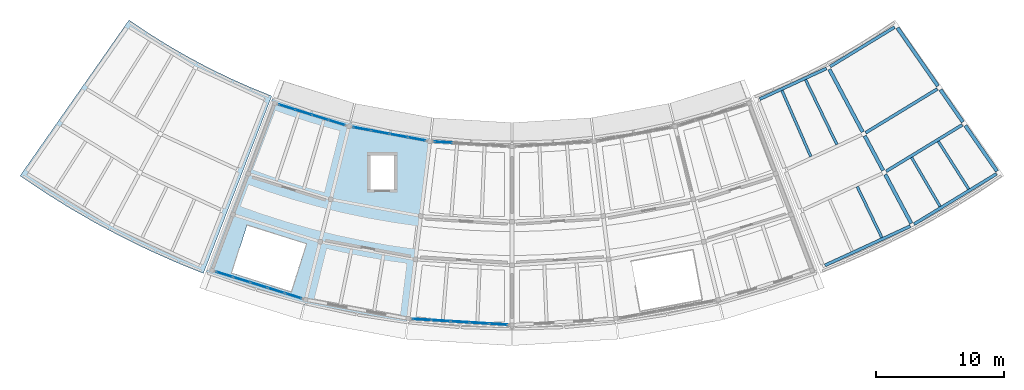
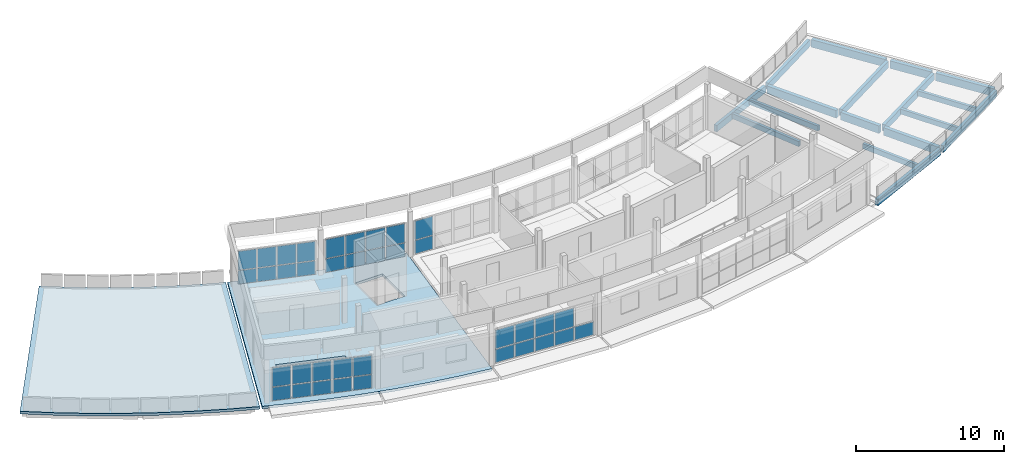
# One storey, part 7 of 12: 37 plates, 17 beams, 2 slabs, 5 elements without a shape of their own.
"""IFC4 building model written with IfcOpenShell, lengths in metres."""

from ifc_helpers import new_model, si_unit, direction, frame, origin, origin_2d, place, context, subcontext, project, spatial, polyline, rectangle, outline, extrude, material, layer, layer_set, material_profile, profile_set, type_object, element, aggregate, save


model = new_model("IFC4")

# Units and contexts
model_context = context("Model", 3, precision=1e-05, world=origin(), true_north=direction((0.0, 1.0)))
body_context = subcontext(model_context, "Body", "Model", "MODEL_VIEW")
ifc_project = project(units=[si_unit("LENGTHUNIT", "METRE"), si_unit("AREAUNIT", "SQUARE_METRE"), si_unit("VOLUMEUNIT", "CUBIC_METRE"), si_unit("PLANEANGLEUNIT", "RADIAN"), si_unit("MASSUNIT", "GRAM", prefix="KILO")], contexts=[model_context])

# Site, building, storey
site_placement = place(None, origin())
site = spatial("IfcSite", under=ifc_project, at=site_placement, CompositionType="ELEMENT")
building_placement = place(site_placement, origin())
building = spatial("IfcBuilding", under=site, at=building_placement, Name="Caldaven Crescent School", CompositionType="ELEMENT")
storey_placement = place(building_placement, frame((0.0, 0.0, 19.3798828125)))
storey = spatial("IfcBuildingStorey", under=building, at=storey_placement, Name="L05", CompositionType="ELEMENT", Elevation=19.3798828125)

# Beams
ifc_material_1 = material(Name="Glulam MLE24h (GL28h)", Category="wood")
ifc_material_profile_1 = material_profile(ifc_material_1, rectangle(XDim=0.239990234375, YDim=0.5400390625, at=origin_2d()), Name="MLE 240x540")
ifc_profile_set_1 = profile_set([ifc_material_profile_1], Name="Glulam MLE24h (GL28h)")
beam_type_1 = type_object("IfcBeamType", Name="BM-GL54", PredefinedType="BEAM", material=ifc_profile_set_1)
beam_1_placement = place(storey_placement, frame((115.51953125, 44.615234375, -0.47998046875), z_axis=(0.853705770755, 0.520755659575, 0.0), x_axis=(-0.520755659575, 0.853705770755, 0.0)))
element("IfcBeam", 1, at=beam_1_placement, inside=storey, type_object=beam_type_1, Name="BMT-V4E-L05-1762", PredefinedType="BEAM", context=body_context, shape_type="SweptSolid", body=[
    extrude(rectangle(XDim=0.239990234375, YDim=0.5400390625, at=origin_2d()), origin(), (0.0, 0.0, 1.0), 6.52978515625),
])
beam_2_placement = place(storey_placement, frame((117.11572265625, 41.61328125, -0.47998046875), z_axis=(0.853702983474, 0.520760228903, 0.0), x_axis=(-0.520760228903, 0.853702983474, 0.0)))
element("IfcBeam", 2, at=beam_2_placement, inside=storey, type_object=beam_type_1, Name="BMT-V4E-L05-1763", PredefinedType="BEAM", context=body_context, shape_type="SweptSolid", body=[
    extrude(rectangle(XDim=0.239990234375, YDim=0.5400390625, at=origin_2d()), origin(), (0.0, 0.0, 1.0), 6.930908203125),
])
ifc_material_profile_2 = material_profile(ifc_material_1, rectangle(XDim=0.280029296875, YDim=0.6298828125, at=origin_2d()), Name="MLE 280x630")
ifc_profile_set_2 = profile_set([ifc_material_profile_2], Name="Glulam MLE24h (GL28h)")
beam_type_2 = type_object("IfcBeamType", Name="BM-GL63", PredefinedType="BEAM", material=ifc_profile_set_2)
beam_3_placement = place(storey_placement, frame((112.698974609375, 49.548095703125, -0.52490234375), z_axis=(0.46947347425, -0.882946576513, 0.0), x_axis=(0.882946576513, 0.46947347425, 0.0)))
element("IfcBeam", 3, at=beam_3_placement, inside=storey, type_object=beam_type_2, Name="BMR-V4E-L05-1747", PredefinedType="BEAM", context=body_context, shape_type="SweptSolid", body=[
    extrude(rectangle(XDim=0.280029296875, YDim=0.6298828125, at=origin_2d()), origin(), (0.0, 0.0, 1.0), 5.514892578125),
])
beam_4_placement = place(storey_placement, frame((115.452392578125, 44.36962890625, -0.52490234375), z_axis=(0.469486850199, -0.882939464227, 0.0), x_axis=(0.882939464227, 0.469486850199, 0.0)))
element("IfcBeam", 4, at=beam_4_placement, inside=storey, type_object=beam_type_2, Name="BMR-V4E-L05-1748", PredefinedType="BEAM", context=body_context, shape_type="SweptSolid", body=[
    extrude(rectangle(XDim=0.280029296875, YDim=0.6298828125, at=origin_2d()), origin(), (0.0, 0.0, 1.0), 3.0498046875),
])
beam_5_placement = place(storey_placement, frame((117.048583984375, 41.36767578125, -0.52490234375), z_axis=(0.469433744078, -0.882967700384, 0.0), x_axis=(0.882967700384, 0.469433744078, 0.0)))
element("IfcBeam", 5, at=beam_5_placement, inside=storey, type_object=beam_type_2, Name="BMR-V4E-L05-1749", PredefinedType="BEAM", context=body_context, shape_type="SweptSolid", body=[
    extrude(rectangle(XDim=0.280029296875, YDim=0.6298828125, at=origin_2d()), origin(), (0.0, 0.0, 1.0), 4.31494140625),
])
beam_6_placement = place(storey_placement, frame((117.9990234375, 52.781005859375, -0.52490234375), z_axis=(0.57022240995, -0.821490354898, 0.0), x_axis=(0.821490354898, 0.57022240995, 0.0)))
element("IfcBeam", 6, at=beam_6_placement, inside=storey, type_object=beam_type_2, Name="BMR-V4E-L05-1750", PredefinedType="BEAM", context=body_context, shape_type="SweptSolid", body=[
    extrude(rectangle(XDim=0.280029296875, YDim=0.6298828125, at=origin_2d()), origin(), (0.0, 0.0, 1.0), 5.514892578125),
])
beam_7_placement = place(storey_placement, frame((121.34326171875, 47.963134765625, -0.52490234375), z_axis=(0.570229294137, -0.821485576324, 0.0), x_axis=(0.821485576324, 0.570229294137, 0.0)))
element("IfcBeam", 7, at=beam_7_placement, inside=storey, type_object=beam_type_2, Name="BMR-V4E-L05-1751", PredefinedType="BEAM", context=body_context, shape_type="SweptSolid", body=[
    extrude(rectangle(XDim=0.280029296875, YDim=0.6298828125, at=origin_2d()), origin(), (0.0, 0.0, 1.0), 3.050048828125),
])
beam_8_placement = place(storey_placement, frame((123.281982421875, 45.169921875, -0.52490234375), z_axis=(0.570218720639, -0.821492915753, 0.0), x_axis=(0.821492915753, 0.570218720639, 0.0)))
element("IfcBeam", 8, at=beam_8_placement, inside=storey, type_object=beam_type_2, Name="BMR-V4E-L05-1752", PredefinedType="BEAM", context=body_context, shape_type="SweptSolid", body=[
    extrude(rectangle(XDim=0.280029296875, YDim=0.6298828125, at=origin_2d()), origin(), (0.0, 0.0, 1.0), 4.31494140625),
])
ifc_material_profile_3 = material_profile(ifc_material_1, rectangle(XDim=0.2099609375, YDim=0.419921875, at=origin_2d()), Name="MLE 210x420")
ifc_profile_set_3 = profile_set([ifc_material_profile_3], Name="Glulam MLE24h (GL28h)")
beam_type_3 = type_object("IfcBeamType", Name="JS-GL42", PredefinedType="JOIST", material=ifc_profile_set_3)
beam_9_placement = place(storey_placement, frame((109.00927734375, 47.900634765625, -0.419921875), z_axis=(0.400268713255, -0.916397816011, 0.0), x_axis=(0.916397816011, 0.400268713255, 0.0)))
element("IfcBeam", 9, at=beam_9_placement, inside=storey, type_object=beam_type_3, Name="JSR-V4E-L05-1757", PredefinedType="JOIST", context=body_context, shape_type="SweptSolid", body=[
    extrude(rectangle(XDim=0.2099609375, YDim=0.419921875, at=origin_2d()), origin(), (0.0, 0.0, 1.0), 5.611572265625),
])
beam_10_placement = place(storey_placement, frame((110.843505859375, 48.744140625, -0.419921875), z_axis=(0.435252715728, -0.900308321327, 0.0), x_axis=(0.900308321327, 0.435252715728, 0.0)))
element("IfcBeam", 10, at=beam_10_placement, inside=storey, type_object=beam_type_3, Name="JSR-V4E-L05-1759", PredefinedType="JOIST", context=body_context, shape_type="SweptSolid", body=[
    extrude(rectangle(XDim=0.2099609375, YDim=0.419921875, at=origin_2d()), origin(), (0.0, 0.0, 1.0), 5.611328125),
])
beam_11_placement = place(storey_placement, frame((114.863525390625, 40.428466796875, -0.419921875), z_axis=(0.435202293191, -0.900332696286, 0.0), x_axis=(0.900332696286, 0.435202293191, 0.0)))
element("IfcBeam", 11, at=beam_11_placement, inside=storey, type_object=beam_type_3, Name="JSR-V4E-L05-1760", PredefinedType="JOIST", context=body_context, shape_type="SweptSolid", body=[
    extrude(rectangle(XDim=0.2099609375, YDim=0.419921875, at=origin_2d()), origin(), (0.0, 0.0, 1.0), 4.413330078125),
])
beam_12_placement = place(storey_placement, frame((119.09619140625, 42.686767578125, -0.419921875), z_axis=(0.503822868286, -0.863806990822, 0.0), x_axis=(0.863806990822, 0.503822868286, 0.0)))
element("IfcBeam", 12, at=beam_12_placement, inside=storey, type_object=beam_type_3, Name="JSR-V4E-L05-1765", PredefinedType="JOIST", context=body_context, shape_type="SweptSolid", body=[
    extrude(rectangle(XDim=0.2099609375, YDim=0.419921875, at=origin_2d()), origin(), (0.0, 0.0, 1.0), 4.4130859375),
])
beam_13_placement = place(storey_placement, frame((121.172119140625, 43.952880859375, -0.419921875), z_axis=(0.53744816743, -0.843296784843, 0.0), x_axis=(0.843296784843, 0.53744816743, 0.0)))
element("IfcBeam", 13, at=beam_13_placement, inside=storey, type_object=beam_type_3, Name="JSR-V4E-L05-1766", PredefinedType="JOIST", context=body_context, shape_type="SweptSolid", body=[
    extrude(rectangle(XDim=0.2099609375, YDim=0.419921875, at=origin_2d()), origin(), (0.0, 0.0, 1.0), 4.41259765625),
])
ifc_material_profile_4 = material_profile(ifc_material_1, rectangle(XDim=0.239990234375, YDim=0.5400390625, at=origin_2d()), Name="MLE 240x540")
ifc_profile_set_4 = profile_set([ifc_material_profile_4], Name="Glulam MLE24h (GL28h)")
beam_type_4 = type_object("IfcBeamType", Name="SP-GL54", PredefinedType="SPANDREL", material=ifc_profile_set_4)
beam_14_placement = place(storey_placement, frame((107.278564453125, 47.231201171875, -0.47998046875), z_axis=(0.908531583429, 0.417816181966, 0.0), x_axis=(-0.417816181966, 0.908531583429, 0.0)))
element("IfcBeam", 14, at=beam_14_placement, inside=storey, type_object=beam_type_4, Name="BMT-V4E-L05-1753", PredefinedType="SPANDREL", context=body_context, shape_type="SweptSolid", body=[
    extrude(rectangle(XDim=0.239990234375, YDim=0.5400390625, at=origin_2d()), origin(), (0.0, 0.0, 1.0), 5.723388671875),
])
beam_15_placement = place(storey_placement, frame((112.34912109375, 34.2890625, -0.47998046875), z_axis=(0.908530182148, 0.417819229004, 0.0), x_axis=(-0.417819229004, 0.908530182148, 0.0)))
element("IfcBeam", 15, at=beam_15_placement, inside=storey, type_object=beam_type_4, Name="BMT-V4E-L05-1756", PredefinedType="SPANDREL", context=body_context, shape_type="SweptSolid", body=[
    extrude(rectangle(XDim=0.239990234375, YDim=0.5400390625, at=origin_2d()), origin(), (0.0, 0.0, 1.0), 7.324951171875),
])
beam_16_placement = place(storey_placement, frame((112.760498046875, 49.772705078125, -0.47998046875), z_axis=(0.85371544484, 0.520739799939, 0.0), x_axis=(-0.520739799939, 0.85371544484, 0.0)))
element("IfcBeam", 16, at=beam_16_placement, inside=storey, type_object=beam_type_4, Name="BMT-V4E-L05-1761", PredefinedType="SPANDREL", context=body_context, shape_type="SweptSolid", body=[
    extrude(rectangle(XDim=0.239990234375, YDim=0.5400390625, at=origin_2d()), origin(), (0.0, 0.0, 1.0), 5.869384765625),
])
beam_17_placement = place(storey_placement, frame((119.2861328125, 37.499755859375, -0.47998046875), z_axis=(0.853703465337, 0.520759438965, 0.0), x_axis=(-0.520759438965, 0.853703465337, 0.0)))
element("IfcBeam", 17, at=beam_17_placement, inside=storey, type_object=beam_type_4, Name="BMT-V4E-L05-1764", PredefinedType="SPANDREL", context=body_context, shape_type="SweptSolid", body=[
    extrude(rectangle(XDim=0.239990234375, YDim=0.5400390625, at=origin_2d()), origin(), (0.0, 0.0, 1.0), 7.509521484375),
])

# Curtain wall, plates
ifc_material_2 = material(Name="Anodised aluminium AA 6063-T6 and low-E double glazing", Category="aluminium")
ifc_layer_1 = layer(ifc_material_2, 0.2099609375)
ifc_layer_set_1 = layer_set([ifc_layer_1], Name="Anodised aluminium AA 6063-T6 and low-E double glazing")
curtain_wall_type_1 = type_object("IfcCurtainWallType", Name="CW-SYS3", PredefinedType="NOTDEFINED", material=ifc_layer_set_1)
curtain_wall_1_placement = place(storey_placement, origin())
curtain_wall_1 = element("IfcCurtainWall", 18, at=curtain_wall_1_placement, inside=storey, type_object=curtain_wall_type_1, Name="CW-L05-179", PredefinedType="NOTDEFINED")
ifc_material_3 = material(Name="Tempered low-E double glazing IGU", Category="glass")
ifc_layer_2 = layer(ifc_material_3, 0.048095703125)
ifc_layer_set_2 = layer_set([ifc_layer_2], Name="Tempered low-E double glazing IGU")
plate_type_1 = type_object("IfcPlateType", Name="PLT-CWP12", PredefinedType="CURTAIN_PANEL", material=ifc_layer_set_2)
plate_1_placement = place(storey_placement, frame((70.49169921875, 46.609375, 0.06005859375), z_axis=(0.0, 0.0, 1.0), x_axis=(0.954746818344, -0.297419758694, 0.0)))
plate_1 = element("IfcPlate", 19, at=plate_1_placement, type_object=plate_type_1, Name="CW3 panel 1.1", PredefinedType="CURTAIN_PANEL", context=body_context, shape_type="SweptSolid", body=[
    extrude(rectangle(XDim=1.270751953125, YDim=0.048095703125, at=origin_2d()), origin(), (0.0, 0.0, 1.0), 1.093994140625),
])
plate_2_placement = place(storey_placement, frame((70.49169921875, 46.609375, 1.214111328125), z_axis=(0.0, 0.0, 1.0), x_axis=(0.954746818344, -0.297419758694, 0.0)))
plate_2 = element("IfcPlate", 20, at=plate_2_placement, type_object=plate_type_1, Name="CW3 panel 1.2", PredefinedType="CURTAIN_PANEL", context=body_context, shape_type="SweptSolid", body=[
    extrude(rectangle(XDim=1.270751953125, YDim=0.048095703125, at=origin_2d()), origin(), (0.0, 0.0, 1.0), 1.5458984375),
])
plate_3_placement = place(storey_placement, frame((71.776611328125, 46.208984375, 0.06005859375), z_axis=(0.0, 0.0, 1.0), x_axis=(0.954746818344, -0.297419758694, 0.0)))
plate_3 = element("IfcPlate", 21, at=plate_3_placement, type_object=plate_type_1, Name="CW3 panel 2.1", PredefinedType="CURTAIN_PANEL", context=body_context, shape_type="SweptSolid", body=[
    extrude(rectangle(XDim=1.30078125, YDim=0.048095703125, at=origin_2d()), origin(), (0.0, 0.0, 1.0), 1.093994140625),
])
plate_4_placement = place(storey_placement, frame((71.776611328125, 46.208984375, 1.214111328125), z_axis=(0.0, 0.0, 1.0), x_axis=(0.954746818344, -0.297419758694, 0.0)))
plate_4 = element("IfcPlate", 22, at=plate_4_placement, type_object=plate_type_1, Name="CW3 panel 2.2", PredefinedType="CURTAIN_PANEL", context=body_context, shape_type="SweptSolid", body=[
    extrude(rectangle(XDim=1.30078125, YDim=0.048095703125, at=origin_2d()), origin(), (0.0, 0.0, 1.0), 1.5458984375),
])
plate_5_placement = place(storey_placement, frame((73.075927734375, 45.804443359375, 0.06005859375), z_axis=(0.0, 0.0, 1.0), x_axis=(0.954746818344, -0.297419758694, 0.0)))
plate_5 = element("IfcPlate", 23, at=plate_5_placement, type_object=plate_type_1, Name="CW3 panel 3.1", PredefinedType="CURTAIN_PANEL", context=body_context, shape_type="SweptSolid", body=[
    extrude(rectangle(XDim=1.30078125, YDim=0.048095703125, at=origin_2d()), origin(), (0.0, 0.0, 1.0), 1.093994140625),
])
plate_6_placement = place(storey_placement, frame((73.075927734375, 45.804443359375, 1.214111328125), z_axis=(0.0, 0.0, 1.0), x_axis=(0.954746818344, -0.297419758694, 0.0)))
plate_6 = element("IfcPlate", 24, at=plate_6_placement, type_object=plate_type_1, Name="CW3 panel 3.2", PredefinedType="CURTAIN_PANEL", context=body_context, shape_type="SweptSolid", body=[
    extrude(rectangle(XDim=1.30078125, YDim=0.048095703125, at=origin_2d()), origin(), (0.0, 0.0, 1.0), 1.5458984375),
])
plate_7_placement = place(storey_placement, frame((74.36083984375, 45.404052734375, 0.06005859375), z_axis=(0.0, 0.0, 1.0), x_axis=(0.954746818344, -0.297419758694, 0.0)))
plate_7 = element("IfcPlate", 25, at=plate_7_placement, type_object=plate_type_1, Name="CW3 panel 4.1", PredefinedType="CURTAIN_PANEL", context=body_context, shape_type="SweptSolid", body=[
    extrude(rectangle(XDim=1.270751953125, YDim=0.048095703125, at=origin_2d()), origin(), (0.0, 0.0, 1.0), 1.093994140625),
])
plate_8_placement = place(storey_placement, frame((74.36083984375, 45.404052734375, 1.214111328125), z_axis=(0.0, 0.0, 1.0), x_axis=(0.954746818344, -0.297419758694, 0.0)))
plate_8 = element("IfcPlate", 26, at=plate_8_placement, type_object=plate_type_1, Name="CW3 panel 4.2", PredefinedType="CURTAIN_PANEL", context=body_context, shape_type="SweptSolid", body=[
    extrude(rectangle(XDim=1.270751953125, YDim=0.048095703125, at=origin_2d()), origin(), (0.0, 0.0, 1.0), 1.5458984375),
])
aggregate(curtain_wall_1, [plate_1, plate_2, plate_3, plate_4, plate_5, plate_6, plate_7, plate_8])

ifc_layer_3 = layer(ifc_material_2, 0.169921875)
ifc_layer_set_3 = layer_set([ifc_layer_3], Name="Anodised aluminium AA 6063-T6 and low-E double glazing")
curtain_wall_type_2 = type_object("IfcCurtainWallType", Name="CW-SYS1", PredefinedType="NOTDEFINED", material=ifc_layer_set_3)
curtain_wall_2_placement = place(storey_placement, origin())
curtain_wall_2 = element("IfcCurtainWall", 27, at=curtain_wall_2_placement, inside=storey, type_object=curtain_wall_type_2, Name="CW-L05-180", PredefinedType="NOTDEFINED")
ifc_layer_4 = layer(ifc_material_3, 0.050048828125)
ifc_layer_set_4 = layer_set([ifc_layer_4], Name="Tempered low-E double glazing IGU")
plate_type_2 = type_object("IfcPlateType", Name="PLT-CWP13", PredefinedType="CURTAIN_PANEL", material=ifc_layer_set_4)
plate_9_placement = place(storey_placement, frame((65.625, 33.5908203125, 0.065185546875), z_axis=(0.0, 0.0, 1.0), x_axis=(0.954746936672, -0.29741937885, 0.0)))
plate_9 = element("IfcPlate", 28, at=plate_9_placement, type_object=plate_type_2, Name="CW1 panel 1.1", PredefinedType="CURTAIN_PANEL", context=body_context, shape_type="SweptSolid", body=[
    extrude(rectangle(XDim=1.303955078125, YDim=0.050048828125, at=origin_2d()), origin(), (0.0, 0.0, 1.0), 1.08642578125),
])
plate_10_placement = place(storey_placement, frame((65.625, 33.5908203125, 1.216552734375), z_axis=(0.0, 0.0, 1.0), x_axis=(0.954746936672, -0.29741937885, 0.0)))
plate_10 = element("IfcPlate", 29, at=plate_10_placement, type_object=plate_type_2, Name="CW1 panel 1.2", PredefinedType="CURTAIN_PANEL", context=body_context, shape_type="SweptSolid", body=[
    extrude(rectangle(XDim=1.303955078125, YDim=0.050048828125, at=origin_2d()), origin(), (0.0, 0.0, 1.0), 1.53857421875),
])
plate_11_placement = place(storey_placement, frame((66.95361328125, 33.1767578125, 0.065185546875), z_axis=(0.0, 0.0, 1.0), x_axis=(0.954746936672, -0.29741937885, 0.0)))
plate_11 = element("IfcPlate", 30, at=plate_11_placement, type_object=plate_type_2, Name="CW1 panel 2.1", PredefinedType="CURTAIN_PANEL", context=body_context, shape_type="SweptSolid", body=[
    extrude(rectangle(XDim=1.339111328125, YDim=0.050048828125, at=origin_2d()), origin(), (0.0, 0.0, 1.0), 1.08642578125),
])
plate_12_placement = place(storey_placement, frame((66.95361328125, 33.1767578125, 1.216552734375), z_axis=(0.0, 0.0, 1.0), x_axis=(0.954746936672, -0.29741937885, 0.0)))
plate_12 = element("IfcPlate", 31, at=plate_12_placement, type_object=plate_type_2, Name="CW1 panel 2.2", PredefinedType="CURTAIN_PANEL", context=body_context, shape_type="SweptSolid", body=[
    extrude(rectangle(XDim=1.339111328125, YDim=0.050048828125, at=origin_2d()), origin(), (0.0, 0.0, 1.0), 1.53857421875),
])
plate_13_placement = place(storey_placement, frame((68.298828125, 32.7578125, 0.065185546875), z_axis=(0.0, 0.0, 1.0), x_axis=(0.954746936672, -0.29741937885, 0.0)))
plate_13 = element("IfcPlate", 32, at=plate_13_placement, type_object=plate_type_2, Name="CW1 panel 3.1", PredefinedType="CURTAIN_PANEL", context=body_context, shape_type="SweptSolid", body=[
    extrude(rectangle(XDim=1.339111328125, YDim=0.050048828125, at=origin_2d()), origin(), (0.0, 0.0, 1.0), 1.08642578125),
])
plate_14_placement = place(storey_placement, frame((68.298828125, 32.7578125, 1.216552734375), z_axis=(0.0, 0.0, 1.0), x_axis=(0.954746936672, -0.29741937885, 0.0)))
plate_14 = element("IfcPlate", 33, at=plate_14_placement, type_object=plate_type_2, Name="CW1 panel 3.2", PredefinedType="CURTAIN_PANEL", context=body_context, shape_type="SweptSolid", body=[
    extrude(rectangle(XDim=1.339111328125, YDim=0.050048828125, at=origin_2d()), origin(), (0.0, 0.0, 1.0), 1.53857421875),
])
plate_15_placement = place(storey_placement, frame((69.644287109375, 32.338623046875, 0.065185546875), z_axis=(0.0, 0.0, 1.0), x_axis=(0.954746936672, -0.29741937885, 0.0)))
plate_15 = element("IfcPlate", 34, at=plate_15_placement, type_object=plate_type_2, Name="CW1 panel 4.1", PredefinedType="CURTAIN_PANEL", context=body_context, shape_type="SweptSolid", body=[
    extrude(rectangle(XDim=1.339111328125, YDim=0.050048828125, at=origin_2d()), origin(), (0.0, 0.0, 1.0), 1.08642578125),
])
plate_16_placement = place(storey_placement, frame((69.644287109375, 32.338623046875, 1.216552734375), z_axis=(0.0, 0.0, 1.0), x_axis=(0.954746936672, -0.29741937885, 0.0)))
plate_16 = element("IfcPlate", 35, at=plate_16_placement, type_object=plate_type_2, Name="CW1 panel 4.2", PredefinedType="CURTAIN_PANEL", context=body_context, shape_type="SweptSolid", body=[
    extrude(rectangle(XDim=1.339111328125, YDim=0.050048828125, at=origin_2d()), origin(), (0.0, 0.0, 1.0), 1.53857421875),
])
plate_17_placement = place(storey_placement, frame((70.97265625, 31.9248046875, 0.065185546875), z_axis=(0.0, 0.0, 1.0), x_axis=(0.954746936672, -0.29741937885, 0.0)))
plate_17 = element("IfcPlate", 36, at=plate_17_placement, type_object=plate_type_2, Name="CW1 panel 5.1", PredefinedType="CURTAIN_PANEL", context=body_context, shape_type="SweptSolid", body=[
    extrude(rectangle(XDim=1.303955078125, YDim=0.050048828125, at=origin_2d()), origin(), (0.0, 0.0, 1.0), 1.08642578125),
])
plate_18_placement = place(storey_placement, frame((70.97265625, 31.9248046875, 1.216552734375), z_axis=(0.0, 0.0, 1.0), x_axis=(0.954746936672, -0.29741937885, 0.0)))
plate_18 = element("IfcPlate", 37, at=plate_18_placement, type_object=plate_type_2, Name="CW1 panel 5.2", PredefinedType="CURTAIN_PANEL", context=body_context, shape_type="SweptSolid", body=[
    extrude(rectangle(XDim=1.303955078125, YDim=0.050048828125, at=origin_2d()), origin(), (0.0, 0.0, 1.0), 1.53857421875),
])
aggregate(curtain_wall_2, [plate_9, plate_10, plate_11, plate_12, plate_13, plate_14, plate_15, plate_16, plate_17, plate_18])

ifc_layer_5 = layer(ifc_material_2, 0.22998046875)
ifc_layer_set_5 = layer_set([ifc_layer_5], Name="Anodised aluminium AA 6063-T6 and low-E double glazing")
curtain_wall_type_3 = type_object("IfcCurtainWallType", Name="CW-SYS4", PredefinedType="NOTDEFINED", material=ifc_layer_set_5)
curtain_wall_3_placement = place(storey_placement, origin())
curtain_wall_3 = element("IfcCurtainWall", 38, at=curtain_wall_3_placement, inside=storey, type_object=curtain_wall_type_3, Name="CW-L05-181", PredefinedType="NOTDEFINED")
ifc_layer_6 = layer(ifc_material_3, 0.052001953125)
ifc_layer_set_6 = layer_set([ifc_layer_6], Name="Tempered low-E double glazing IGU")
plate_type_3 = type_object("IfcPlateType", Name="PLT-CWP14", PredefinedType="CURTAIN_PANEL", material=ifc_layer_set_6)
plate_19_placement = place(storey_placement, frame((76.33544921875, 44.918212890625, 0.06005859375), z_axis=(0.0, 0.0, 1.0), x_axis=(0.983254744401, -0.182236405836, 0.0)))
plate_19 = element("IfcPlate", 39, at=plate_19_placement, type_object=plate_type_3, Name="CW4 panel 1.1", PredefinedType="CURTAIN_PANEL", context=body_context, shape_type="SweptSolid", body=[
    extrude(rectangle(XDim=1.353515625, YDim=0.052001953125, at=origin_2d()), origin(), (0.0, 0.0, 1.0), 1.093994140625),
])
plate_20_placement = place(storey_placement, frame((76.33544921875, 44.918212890625, 1.214111328125), z_axis=(0.0, 0.0, 1.0), x_axis=(0.983254744401, -0.182236405836, 0.0)))
plate_20 = element("IfcPlate", 40, at=plate_20_placement, type_object=plate_type_3, Name="CW4 panel 1.2", PredefinedType="CURTAIN_PANEL", context=body_context, shape_type="SweptSolid", body=[
    extrude(rectangle(XDim=1.353515625, YDim=0.052001953125, at=origin_2d()), origin(), (0.0, 0.0, 1.0), 1.5458984375),
])
plate_21_placement = place(storey_placement, frame((77.746337890625, 44.65673828125, 0.06005859375), z_axis=(0.0, 0.0, 1.0), x_axis=(0.983254744401, -0.182236405836, 0.0)))
plate_21 = element("IfcPlate", 41, at=plate_21_placement, type_object=plate_type_3, Name="CW4 panel 2.1", PredefinedType="CURTAIN_PANEL", context=body_context, shape_type="SweptSolid", body=[
    extrude(rectangle(XDim=1.385986328125, YDim=0.052001953125, at=origin_2d()), origin(), (0.0, 0.0, 1.0), 1.093994140625),
])
plate_22_placement = place(storey_placement, frame((77.746337890625, 44.65673828125, 1.214111328125), z_axis=(0.0, 0.0, 1.0), x_axis=(0.983254744401, -0.182236405836, 0.0)))
plate_22 = element("IfcPlate", 42, at=plate_22_placement, type_object=plate_type_3, Name="CW4 panel 2.2", PredefinedType="CURTAIN_PANEL", context=body_context, shape_type="SweptSolid", body=[
    extrude(rectangle(XDim=1.385986328125, YDim=0.052001953125, at=origin_2d()), origin(), (0.0, 0.0, 1.0), 1.5458984375),
])
plate_23_placement = place(storey_placement, frame((79.1728515625, 44.392333984375, 0.06005859375), z_axis=(0.0, 0.0, 1.0), x_axis=(0.983254744401, -0.182236405836, 0.0)))
plate_23 = element("IfcPlate", 43, at=plate_23_placement, type_object=plate_type_3, Name="CW4 panel 3.1", PredefinedType="CURTAIN_PANEL", context=body_context, shape_type="SweptSolid", body=[
    extrude(rectangle(XDim=1.385986328125, YDim=0.052001953125, at=origin_2d()), origin(), (0.0, 0.0, 1.0), 1.093994140625),
])
plate_24_placement = place(storey_placement, frame((79.1728515625, 44.392333984375, 1.214111328125), z_axis=(0.0, 0.0, 1.0), x_axis=(0.983254744401, -0.182236405836, 0.0)))
plate_24 = element("IfcPlate", 44, at=plate_24_placement, type_object=plate_type_3, Name="CW4 panel 3.2", PredefinedType="CURTAIN_PANEL", context=body_context, shape_type="SweptSolid", body=[
    extrude(rectangle(XDim=1.385986328125, YDim=0.052001953125, at=origin_2d()), origin(), (0.0, 0.0, 1.0), 1.5458984375),
])
plate_25_placement = place(storey_placement, frame((80.583740234375, 44.130859375, 0.06005859375), z_axis=(0.0, 0.0, 1.0), x_axis=(0.983254744401, -0.182236405836, 0.0)))
plate_25 = element("IfcPlate", 45, at=plate_25_placement, type_object=plate_type_3, Name="CW4 panel 4.1", PredefinedType="CURTAIN_PANEL", context=body_context, shape_type="SweptSolid", body=[
    extrude(rectangle(XDim=1.353515625, YDim=0.052001953125, at=origin_2d()), origin(), (0.0, 0.0, 1.0), 1.093994140625),
])
plate_26_placement = place(storey_placement, frame((80.583740234375, 44.130859375, 1.214111328125), z_axis=(0.0, 0.0, 1.0), x_axis=(0.983254744401, -0.182236405836, 0.0)))
plate_26 = element("IfcPlate", 46, at=plate_26_placement, type_object=plate_type_3, Name="CW4 panel 4.2", PredefinedType="CURTAIN_PANEL", context=body_context, shape_type="SweptSolid", body=[
    extrude(rectangle(XDim=1.353515625, YDim=0.052001953125, at=origin_2d()), origin(), (0.0, 0.0, 1.0), 1.5458984375),
])
aggregate(curtain_wall_3, [plate_19, plate_20, plate_21, plate_22, plate_23, plate_24, plate_25, plate_26])

curtain_wall_4_placement = place(storey_placement, origin())
curtain_wall_4 = element("IfcCurtainWall", 47, at=curtain_wall_4_placement, inside=storey, type_object=curtain_wall_type_2, Name="CW-L05-182", PredefinedType="NOTDEFINED")
ifc_layer_7 = layer(ifc_material_3, 0.053955078125)
ifc_layer_set_7 = layer_set([ifc_layer_7], Name="Tempered low-E double glazing IGU")
plate_type_4 = type_object("IfcPlateType", Name="PLT-CWP15", PredefinedType="CURTAIN_PANEL", material=ifc_layer_set_7)
plate_27_placement = place(storey_placement, frame((82.64892578125, 43.877197265625, 0.065185546875), z_axis=(0.0, 0.0, 1.0), x_axis=(0.998134750717, -0.061049319496, 0.0)))
plate_27 = element("IfcPlate", 48, at=plate_27_placement, type_object=plate_type_4, Name="CW1 panel 1.1", PredefinedType="CURTAIN_PANEL", context=body_context, shape_type="SweptSolid", body=[
    extrude(rectangle(XDim=1.345947265625, YDim=0.053955078125, at=origin_2d()), origin(), (0.0, 0.0, 1.0), 1.08642578125),
])
plate_28_placement = place(storey_placement, frame((82.64892578125, 43.877197265625, 1.216552734375), z_axis=(0.0, 0.0, 1.0), x_axis=(0.998134750717, -0.061049319496, 0.0)))
plate_28 = element("IfcPlate", 49, at=plate_28_placement, type_object=plate_type_4, Name="CW1 panel 1.2", PredefinedType="CURTAIN_PANEL", context=body_context, shape_type="SweptSolid", body=[
    extrude(rectangle(XDim=1.345947265625, YDim=0.053955078125, at=origin_2d()), origin(), (0.0, 0.0, 1.0), 1.53857421875),
])
aggregate(curtain_wall_4, [plate_27, plate_28])

curtain_wall_5_placement = place(storey_placement, origin())
curtain_wall_5 = element("IfcCurtainWall", 50, at=curtain_wall_5_placement, inside=storey, type_object=curtain_wall_type_1, Name="CW-L05-183", PredefinedType="NOTDEFINED")
ifc_layer_8 = layer(ifc_material_3, 0.055908203125)
ifc_layer_set_8 = layer_set([ifc_layer_8], Name="Tempered low-E double glazing IGU")
plate_type_5 = type_object("IfcPlateType", Name="PLT-CWP16", PredefinedType="CURTAIN_PANEL", material=ifc_layer_set_8)
plate_29_placement = place(storey_placement, frame((80.978271484375, 30.079345703125, 0.070068359375), z_axis=(0.0, 0.0, 1.0), x_axis=(0.998134747337, -0.061049374755, 0.0)))
plate_29 = element("IfcPlate", 51, at=plate_29_placement, type_object=plate_type_5, Name="CW3 panel 1.1", PredefinedType="CURTAIN_PANEL", context=body_context, shape_type="SweptSolid", body=[
    extrude(rectangle(XDim=1.40283203125, YDim=0.055908203125, at=origin_2d()), origin(), (0.0, 0.0, 1.0), 1.0791015625),
])
plate_30_placement = place(storey_placement, frame((80.978271484375, 30.079345703125, 1.21923828125), z_axis=(0.0, 0.0, 1.0), x_axis=(0.998134747337, -0.061049374755, 0.0)))
plate_30 = element("IfcPlate", 52, at=plate_30_placement, type_object=plate_type_5, Name="CW3 panel 1.2", PredefinedType="CURTAIN_PANEL", context=body_context, shape_type="SweptSolid", body=[
    extrude(rectangle(XDim=1.40283203125, YDim=0.055908203125, at=origin_2d()), origin(), (0.0, 0.0, 1.0), 1.531005859375),
])
plate_31_placement = place(storey_placement, frame((82.45947265625, 29.98876953125, 0.070068359375), z_axis=(0.0, 0.0, 1.0), x_axis=(0.998134747337, -0.061049374755, 0.0)))
plate_31 = element("IfcPlate", 53, at=plate_31_placement, type_object=plate_type_5, Name="CW3 panel 2.1", PredefinedType="CURTAIN_PANEL", context=body_context, shape_type="SweptSolid", body=[
    extrude(rectangle(XDim=1.435302734375, YDim=0.055908203125, at=origin_2d()), origin(), (0.0, 0.0, 1.0), 1.0791015625),
])
plate_32_placement = place(storey_placement, frame((82.45947265625, 29.98876953125, 1.21923828125), z_axis=(0.0, 0.0, 1.0), x_axis=(0.998134747337, -0.061049374755, 0.0)))
plate_32 = element("IfcPlate", 54, at=plate_32_placement, type_object=plate_type_5, Name="CW3 panel 2.2", PredefinedType="CURTAIN_PANEL", context=body_context, shape_type="SweptSolid", body=[
    extrude(rectangle(XDim=1.435302734375, YDim=0.055908203125, at=origin_2d()), origin(), (0.0, 0.0, 1.0), 1.531005859375),
])
plate_33_placement = place(storey_placement, frame((83.95703125, 29.897216796875, 0.070068359375), z_axis=(0.0, 0.0, 1.0), x_axis=(0.998134747337, -0.061049374755, 0.0)))
plate_33 = element("IfcPlate", 55, at=plate_33_placement, type_object=plate_type_5, Name="CW3 panel 3.1", PredefinedType="CURTAIN_PANEL", context=body_context, shape_type="SweptSolid", body=[
    extrude(rectangle(XDim=1.435302734375, YDim=0.055908203125, at=origin_2d()), origin(), (0.0, 0.0, 1.0), 1.0791015625),
])
plate_34_placement = place(storey_placement, frame((83.95703125, 29.897216796875, 1.21923828125), z_axis=(0.0, 0.0, 1.0), x_axis=(0.998134747337, -0.061049374755, 0.0)))
plate_34 = element("IfcPlate", 56, at=plate_34_placement, type_object=plate_type_5, Name="CW3 panel 3.2", PredefinedType="CURTAIN_PANEL", context=body_context, shape_type="SweptSolid", body=[
    extrude(rectangle(XDim=1.435302734375, YDim=0.055908203125, at=origin_2d()), origin(), (0.0, 0.0, 1.0), 1.531005859375),
])
plate_35_placement = place(storey_placement, frame((85.454345703125, 29.8056640625, 0.070068359375), z_axis=(0.0, 0.0, 1.0), x_axis=(0.998134747337, -0.061049374755, 0.0)))
plate_35 = element("IfcPlate", 57, at=plate_35_placement, type_object=plate_type_5, Name="CW3 panel 4.1", PredefinedType="CURTAIN_PANEL", context=body_context, shape_type="SweptSolid", body=[
    extrude(rectangle(XDim=1.435302734375, YDim=0.055908203125, at=origin_2d()), origin(), (0.0, 0.0, 1.0), 1.0791015625),
])
plate_36_placement = place(storey_placement, frame((85.454345703125, 29.8056640625, 1.21923828125), z_axis=(0.0, 0.0, 1.0), x_axis=(0.998134747337, -0.061049374755, 0.0)))
plate_36 = element("IfcPlate", 58, at=plate_36_placement, type_object=plate_type_5, Name="CW3 panel 4.2", PredefinedType="CURTAIN_PANEL", context=body_context, shape_type="SweptSolid", body=[
    extrude(rectangle(XDim=1.435302734375, YDim=0.055908203125, at=origin_2d()), origin(), (0.0, 0.0, 1.0), 1.531005859375),
])
plate_37_placement = place(storey_placement, frame((86.935546875, 29.715087890625, 0.070068359375), z_axis=(0.0, 0.0, 1.0), x_axis=(0.998134747337, -0.061049374755, 0.0)))
plate_37 = element("IfcPlate", 59, at=plate_37_placement, type_object=plate_type_5, Name="CW3 panel 5.1", PredefinedType="CURTAIN_PANEL", context=body_context, shape_type="SweptSolid", body=[
    extrude(rectangle(XDim=1.40283203125, YDim=0.055908203125, at=origin_2d()), origin(), (0.0, 0.0, 1.0), 1.0791015625),
])
aggregate(curtain_wall_5, [plate_29, plate_30, plate_31, plate_32, plate_33, plate_34, plate_35, plate_36, plate_37])

# Slabs
ifc_material_4 = material(Name="Cross-laminated timber CLT C24", Category="wood")
ifc_layer_9 = layer(ifc_material_4, 0.199951171875)
ifc_layer_set_9 = layer_set([ifc_layer_9], Name="Cross-laminated timber CLT C24")
slab_type_1 = type_object("IfcSlabType", Name="SLB-FS3", PredefinedType="FLOOR", material=ifc_layer_set_9)
slab_1_placement = place(storey_placement, frame((0.0, 0.0, -0.199951171875)))
element("IfcSlab", 60, at=slab_1_placement, inside=storey, type_object=slab_type_1, Name="SLB-V5-L05-B05", PredefinedType="FLOOR", context=body_context, shape_type="SweptSolid", body=[
    extrude(outline(polyline([(64.1376953125, 33.607421875), (66.3076171875, 32.8203125), (68.503173828125, 32.108642578125), (70.72216796875, 31.47314453125), (72.9619140625, 30.914794921875), (75.219482421875, 30.43408203125), (77.4921875, 30.03173828125), (79.777587890625, 29.7080078125), (81.599365234375, 44.3955078125), (79.8203125, 44.6474609375), (78.051025390625, 44.960693359375), (76.293701171875, 45.334716796875), (74.55029296875, 45.76953125), (72.822998046875, 46.26416015625), (71.113525390625, 46.818115234375), (69.424560546875, 47.430908203125), (64.1376953125, 33.607421875)]), holes=[polyline([(76.854248046875, 40.027587890625), (76.854248046875, 43.027587890625), (78.9541015625, 43.027587890625), (78.9541015625, 40.027587890625), (76.854248046875, 40.027587890625)]), polyline([(66.21142578125, 33.719482421875), (67.3720703125, 37.40087890625), (71.970947265625, 35.95068359375), (70.810302734375, 32.26953125), (66.21142578125, 33.719482421875)])]), origin(), (0.0, 0.0, 1.0), 0.199951171875),
])
ifc_layer_10 = layer(ifc_material_4, 0.2099609375)
ifc_layer_set_10 = layer_set([ifc_layer_10], Name="Cross-laminated timber CLT C24")
slab_type_2 = type_object("IfcSlabType", Name="SLB-RS4", PredefinedType="ROOF", material=ifc_layer_set_10)
slab_2_placement = place(storey_placement, frame((0.0, 0.0, -0.2099609375)))
element("IfcSlab", 61, at=slab_2_placement, inside=storey, type_object=slab_type_2, Name="SLB-RF-L05-W", PredefinedType="ROOF", context=body_context, shape_type="SweptSolid", body=[
    extrude(outline(polyline([(49.7119140625, 41.26171875), (51.6318359375, 39.9677734375), (53.595458984375, 38.7412109375), (55.600341796875, 37.583251953125), (57.644287109375, 36.49560546875), (59.724365234375, 35.4794921875), (61.838623046875, 34.535888671875), (63.984375, 33.666259765625), (69.30517578125, 47.476806640625), (67.635009765625, 48.15380859375), (65.989013671875, 48.88818359375), (64.36962890625, 49.67919921875), (62.77880859375, 50.52587890625), (61.218017578125, 51.42724609375), (59.689453125, 52.382080078125), (58.195068359375, 53.389404296875), (49.7119140625, 41.26171875)])), origin(), (0.0, 0.0, 1.0), 0.2099609375),
])

save(model, "model.ifc")
